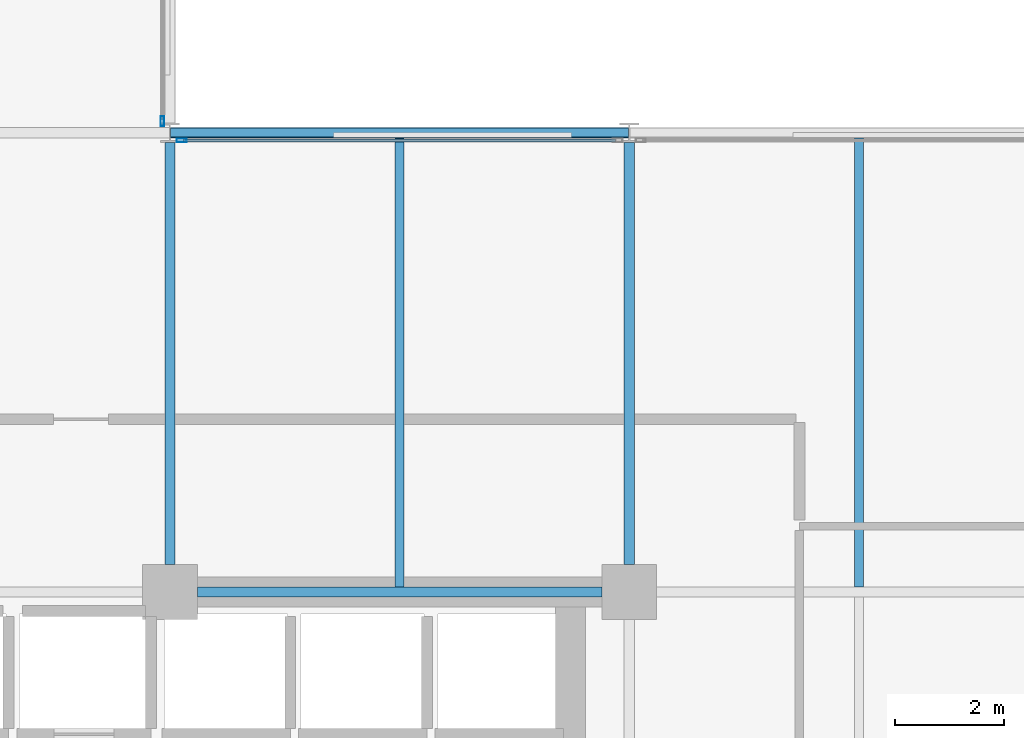
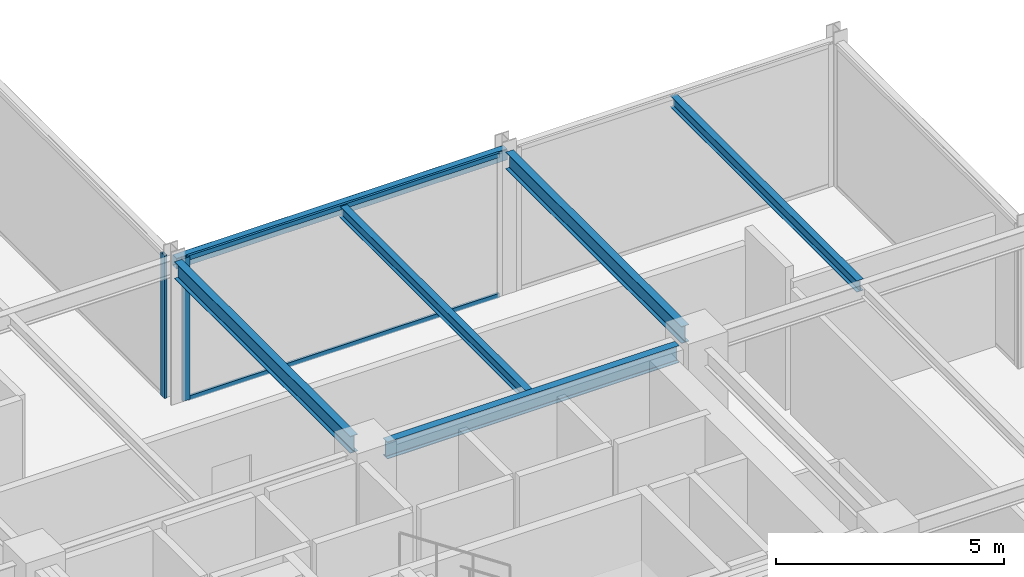
# One storey, part 14 of 29: 6 beams, 4 members, 2 elements without a shape of their own.
"""IFC4 building model written with IfcOpenShell, lengths in metres."""

from ifc_helpers import new_model, si_unit, direction, frame, origin, origin_2d, place, context, subcontext, project, spatial, hollow_rectangle, i_section, extrude, material, layer, layer_set, material_profile, profile_set, type_object, element, aggregate, save


model = new_model("IFC4")

# Units and contexts
model_context = context("Model", 3, precision=1e-05, world=origin(), true_north=direction((0.0, 1.0)))
body_context = subcontext(model_context, "Body", "Model", "MODEL_VIEW")
ifc_project = project(units=[si_unit("LENGTHUNIT", "METRE"), si_unit("AREAUNIT", "SQUARE_METRE"), si_unit("VOLUMEUNIT", "CUBIC_METRE"), si_unit("PLANEANGLEUNIT", "RADIAN"), si_unit("MASSUNIT", "GRAM", prefix="KILO")], contexts=[model_context])

# Site, building, storey
site_placement = place(None, origin())
site = spatial("IfcSite", under=ifc_project, at=site_placement, CompositionType="ELEMENT")
building_placement = place(site_placement, origin())
building = spatial("IfcBuilding", under=site, at=building_placement, Name="Nerrivon Quay Data Exchange", CompositionType="ELEMENT")
storey_placement = place(building_placement, frame((0.0, 0.0, 175.5)))
storey = spatial("IfcBuildingStorey", under=building, at=storey_placement, Name="L41", CompositionType="ELEMENT", Elevation=175.5)

# Beams
ifc_material_1 = material(Name="Steel Grade 350", Category="steel")
ifc_material_profile_1 = material_profile(ifc_material_1, i_section(OverallWidth=0.19091796875, OverallDepth=0.4599609375, WebThickness=0.010009765625, FlangeThickness=0.01611328125, FilletRadius=0.011474609375, at=origin_2d()), Name="460UB82.1")
ifc_profile_set_1 = profile_set([ifc_material_profile_1], Name="Steel Grade 350")
beam_type_1 = type_object("IfcBeamType", Name="BM-G5-460UB82", PredefinedType="BEAM", material=ifc_profile_set_1)
beam_1_placement = place(storey_placement, frame((25.699951171875, 16.800048828125, 3.594970703125), z_axis=(1.0, 0.0, 0.0), x_axis=(0.0, 1.0, 0.0)))
element("IfcBeam", 1, at=beam_1_placement, inside=storey, type_object=beam_type_1, Name="L41 EW Girder Y=16.8 (25.2..33.6)", PredefinedType="BEAM", context=body_context, shape_type="SweptSolid", body=[
    extrude(i_section(OverallWidth=0.19091796875, OverallDepth=0.4599609375, WebThickness=0.010009765625, FlangeThickness=0.01611328125, FilletRadius=0.011474609375, at=origin_2d()), origin(), (0.0, 0.0, 1.0), 7.400146484375),
])
ifc_material_profile_2 = material_profile(ifc_material_1, i_section(OverallWidth=0.18994140625, OverallDepth=0.4541015625, WebThickness=0.008544921875, FlangeThickness=0.0126953125, FilletRadius=0.011474609375, at=origin_2d()), Name="460UB67.1")
ifc_profile_set_2 = profile_set([ifc_material_profile_2], Name="Steel Grade 350")
beam_type_2 = type_object("IfcBeamType", Name="BM-G6-460UB67", PredefinedType="BEAM", material=ifc_profile_set_2)
for number, where, z_axis, x_axis, name in (
    (2, (25.199951171875, 17.300048828125, 3.597900390625), (0.0, 1.0, 0.0), (-1.0, 0.0, 0.0), "L41 NS Girder X=25.2 (16.8..25.2)"),
    (3, (33.60009765625, 17.300048828125, 3.597900390625), (0.0, 1.0, 0.0), (-1.0, 0.0, 0.0), "L41 NS Girder X=33.6 (16.8..25.2)"),
):
    element("IfcBeam", number, at=place(storey_placement, frame(where, z_axis=z_axis, x_axis=x_axis)), inside=storey, type_object=beam_type_2, Name=name, PredefinedType="BEAM", context=body_context, shape_type="SweptSolid", body=[
        extrude(i_section(OverallWidth=0.18994140625, OverallDepth=0.4541015625, WebThickness=0.008544921875, FlangeThickness=0.0126953125, FilletRadius=0.011474609375, at=origin_2d()), origin(), (0.0, 0.0, 1.0), 7.724853515625),
    ])
ifc_material_profile_3 = material_profile(ifc_material_1, i_section(OverallWidth=0.166015625, OverallDepth=0.306884765625, WebThickness=0.006591796875, FlangeThickness=0.01171875, FilletRadius=0.011474609375, at=origin_2d()), Name="310UB46.2")
ifc_profile_set_3 = profile_set([ifc_material_profile_3], Name="Steel Grade 350")
beam_type_3 = type_object("IfcBeamType", Name="BM-J5-310UB46", PredefinedType="JOIST", material=ifc_profile_set_3)
for number, where, z_axis, x_axis, name in (
    (4, (29.39990234375, 16.8955078125, 3.67138671875), (0.0, 1.0, 0.0), (-1.0, 0.0, 0.0), "L41 Secondary Joist X=29.4 (16.8..25.2)"),
    (5, (37.800048828125, 16.8955078125, 3.67138671875), (0.0, 1.0, 0.0), (-1.0, 0.0, 0.0), "L41 Secondary Joist X=37.8 (16.8..25.2)"),
):
    element("IfcBeam", number, at=place(storey_placement, frame(where, z_axis=z_axis, x_axis=x_axis)), inside=storey, type_object=beam_type_3, Name=name, PredefinedType="JOIST", context=body_context, shape_type="SweptSolid", body=[
        extrude(i_section(OverallWidth=0.166015625, OverallDepth=0.306884765625, WebThickness=0.006591796875, FlangeThickness=0.01171875, FilletRadius=0.011474609375, at=origin_2d()), origin(), (0.0, 0.0, 1.0), 8.20458984375),
    ])
ifc_material_2 = material(Name="Steel Grade C350L0 (350 MPa)", Category="steel")
ifc_material_profile_4 = material_profile(ifc_material_2, hollow_rectangle(XDim=0.199951171875, YDim=0.300048828125, WallThickness=0.012451171875, InnerFilletRadius=0.018798828125, OuterFilletRadius=0.03125, at=origin_2d()), Name="300x200x12.5RHS")
ifc_profile_set_4 = profile_set([ifc_material_profile_4], Name="Steel Grade C350L0 (350 MPa)")
beam_type_4 = type_object("IfcBeamType", Name="BM-SP3-300x200RHS", PredefinedType="SPANDREL", material=ifc_profile_set_4)
beam_2_placement = place(storey_placement, frame((25.2099609375, 25.199951171875, 3.675048828125), z_axis=(1.0, 0.0, 0.0), x_axis=(0.0, 1.0, 0.0)))
element("IfcBeam", 6, at=beam_2_placement, inside=storey, type_object=beam_type_4, Name="L41 EW Girder Y=25.2 (25.2..33.6)", PredefinedType="SPANDREL", context=body_context, shape_type="SweptSolid", body=[
    extrude(hollow_rectangle(XDim=0.199951171875, YDim=0.300048828125, WallThickness=0.012451171875, InnerFilletRadius=0.018798828125, OuterFilletRadius=0.03125, at=origin_2d()), origin(), (0.0, 0.0, 1.0), 8.380126953125),
])

# Curtain wall, member
ifc_material_3 = material(Name="Anodised aluminium 6063-T6", Category="aluminium")
ifc_layer = layer(ifc_material_3, 0.195068359375)
ifc_layer_set = layer_set([ifc_layer], Name="Anodised aluminium 6063-T6")
curtain_wall_type = type_object("IfcCurtainWallType", Name="CW-SYS-06", PredefinedType="NOTDEFINED", material=ifc_layer_set)
curtain_wall_1_placement = place(storey_placement, origin())
curtain_wall_1 = element("IfcCurtainWall", 7, at=curtain_wall_1_placement, inside=storey, type_object=curtain_wall_type, Name="L41 Unitised Curtain Wall 15", PredefinedType="NOTDEFINED")
ifc_material_profile_5 = material_profile(ifc_material_3, hollow_rectangle(XDim=0.06494140625, YDim=0.179931640625, WallThickness=0.00341796875, at=origin_2d()), Name="ALU-MULL-180x65")
ifc_profile_set_5 = profile_set([ifc_material_profile_5], Name="Anodised aluminium 6063-T6")
member_type_1 = type_object("IfcMemberType", Name="CWM-180x65", PredefinedType="MULLION", material=ifc_profile_set_5)
member_1_placement = place(storey_placement, frame((25.06005859375, 25.41259765625, 0.0), z_axis=(0.0, 0.0, 1.0), x_axis=(1.0, 0.0, 0.0)))
member_1 = element("IfcMember", 8, at=member_1_placement, type_object=member_type_1, Name="CW06 mullion 2", PredefinedType="MULLION", context=body_context, shape_type="SweptSolid", body=[
    extrude(hollow_rectangle(XDim=0.06494140625, YDim=0.179931640625, WallThickness=0.00341796875, at=origin_2d()), origin(), (0.0, 0.0, 1.0), 3.824951171875),
])
aggregate(curtain_wall_1, [member_1])

# Curtain wall, members
curtain_wall_2_placement = place(storey_placement, origin())
curtain_wall_2 = element("IfcCurtainWall", 9, at=curtain_wall_2_placement, inside=storey, type_object=curtain_wall_type, Name="L41 Unitised Curtain Wall 16", PredefinedType="NOTDEFINED")
member_2_placement = place(storey_placement, frame((25.41259765625, 25.06005859375, 0.0), z_axis=(0.0, 0.0, 1.0), x_axis=(0.0, 1.0, 0.0)))
member_2 = element("IfcMember", 10, at=member_2_placement, type_object=member_type_1, Name="CW06 mullion 1", PredefinedType="MULLION", context=body_context, shape_type="SweptSolid", body=[
    extrude(hollow_rectangle(XDim=0.06494140625, YDim=0.179931640625, WallThickness=0.00341796875, at=origin_2d()), origin(), (0.0, 0.0, 1.0), 3.824951171875),
])
ifc_material_profile_6 = material_profile(ifc_material_3, hollow_rectangle(XDim=0.06005859375, YDim=0.1201171875, WallThickness=0.003173828125, at=origin_2d()), Name="ALU-TRAN-120x60")
ifc_profile_set_6 = profile_set([ifc_material_profile_6], Name="Anodised aluminium 6063-T6")
member_type_2 = type_object("IfcMemberType", Name="CWT-120x60", PredefinedType="USERDEFINED", material=ifc_profile_set_6)
member_3_placement = place(storey_placement, frame((25.449951171875, 25.06005859375, 0.032470703125), z_axis=(1.0, 0.0, 0.0), x_axis=(0.0, 1.0, 0.0)))
member_3 = element("IfcMember", 11, at=member_3_placement, type_object=member_type_2, Name="CW06 transom 1.1", ObjectType="TRANSOM", PredefinedType="USERDEFINED", context=body_context, shape_type="SweptSolid", body=[
    extrude(hollow_rectangle(XDim=0.06005859375, YDim=0.1201171875, WallThickness=0.003173828125, at=origin_2d()), origin(), (0.0, 0.0, 1.0), 7.900146484375),
])
member_4_placement = place(storey_placement, frame((25.449951171875, 25.06005859375, 3.79248046875), z_axis=(1.0, 0.0, 0.0), x_axis=(0.0, 1.0, 0.0)))
member_4 = element("IfcMember", 12, at=member_4_placement, type_object=member_type_2, Name="CW06 transom 1.2", ObjectType="TRANSOM", PredefinedType="USERDEFINED", context=body_context, shape_type="SweptSolid", body=[
    extrude(hollow_rectangle(XDim=0.06005859375, YDim=0.1201171875, WallThickness=0.003173828125, at=origin_2d()), origin(), (0.0, 0.0, 1.0), 7.900146484375),
])
aggregate(curtain_wall_2, [member_2, member_3, member_4])

save(model, "model.ifc")
